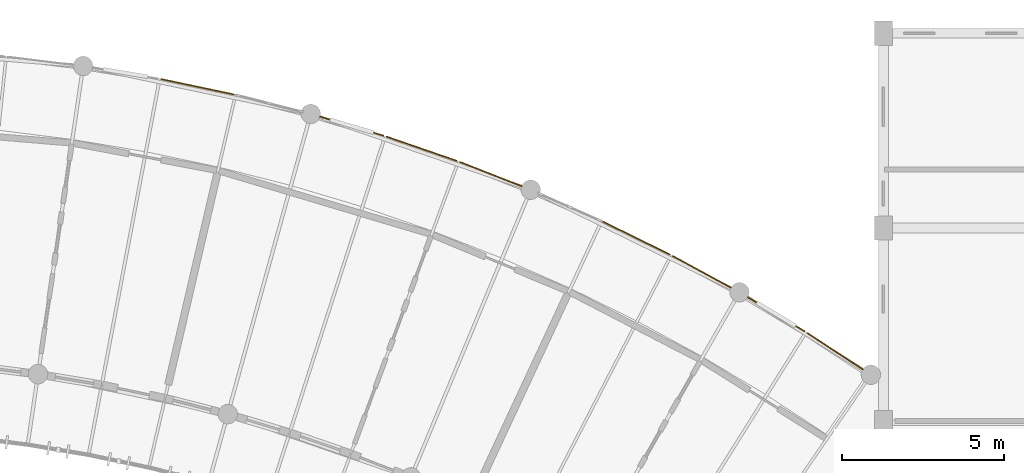
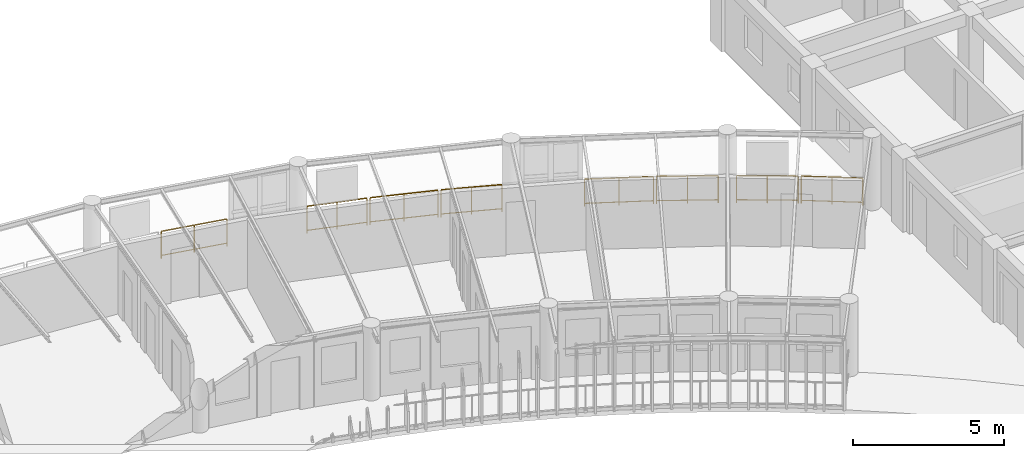
# One storey, part 100 of 100: 8 railings.
"""IFC4 building model written with IfcOpenShell, lengths in metres."""

import ifcopenshell
import ifcopenshell.guid

model = None  # the IFC model being written
_history = None  # IfcOwnerHistory: only IFC2X3 demands one
_inside = {}  # id of a spatial element -> (the spatial element, [elements in it])
_under = {}  # id of a project, library or spatial element -> (it, [spatial elements below it])
_declared = {}  # id of a project -> (the project, [libraries it declares])
_typed = {}  # id of a type object -> (the type object, [elements of that type])
_made_of = {}  # id of a material, layer set ... -> (it, [elements and type objects made of it])


def new_model(schema):
    """Start an empty IFC model of exactly this schema.

    Asked for "IFC4X3", IfcOpenShell would pick the latest addendum, in which some entities
    have other attributes; the version numbers below select the first issue.
    IFC2X3 requires an IfcOwnerHistory on every rooted entity: one is made here for all.
    """
    global model, _history
    if schema == "IFC4X3":
        model = ifcopenshell.file(schema_version=(4, 3, 0, 0))
    else:
        model = ifcopenshell.file(schema=schema)
    _inside.clear()
    _under.clear()
    _declared.clear()
    _typed.clear()
    _made_of.clear()
    _history = None
    if model.schema == "IFC2X3":
        org = make("IfcOrganization", Name="unknown")
        user = make(
            "IfcPersonAndOrganization",
            ThePerson=make("IfcPerson", FamilyName="unknown"),
            TheOrganization=org,
        )
        app = make(
            "IfcApplication",
            ApplicationDeveloper=org,
            Version="unknown",
            ApplicationFullName="unknown",
            ApplicationIdentifier="unknown",
        )
        _history = make(
            "IfcOwnerHistory",
            OwningUser=user,
            OwningApplication=app,
            ChangeAction="ADDED",
            CreationDate=0,
        )
    return model


def make(cls, **values):
    """One entity of the class cls with the attributes given. An attribute that is None is left unset."""
    return model.create_entity(
        cls, **{name: value for name, value in values.items() if value is not None}
    )


def rooted(cls, **values):
    """An entity with a GlobalId (a new one), such as an element, a storey or a relation."""
    return make(cls, GlobalId=ifcopenshell.guid.new(), OwnerHistory=_history, **values)


def si_unit(unit_type, name, prefix=None):
    """IfcSIUnit, for example si_unit("LENGTHUNIT", "METRE", prefix="MILLI")."""
    return make("IfcSIUnit", UnitType=unit_type, Prefix=prefix, Name=name)


def assignment(units):
    """IfcUnitAssignment: the units of a project."""
    return None if units is None else make("IfcUnitAssignment", Units=units)


def point(xyz):
    """IfcCartesianPoint."""
    return None if xyz is None else make("IfcCartesianPoint", Coordinates=xyz)


def direction(xyz):
    """IfcDirection."""
    return None if xyz is None else make("IfcDirection", DirectionRatios=xyz)


def frame(location, z_axis=None, x_axis=None):
    """IfcAxis2Placement3D, a coordinate frame: its origin and axes. An axis left out is left unset."""
    return make(
        "IfcAxis2Placement3D",
        Location=point(location),
        Axis=direction(z_axis),
        RefDirection=direction(x_axis),
    )


def frame_2d(location, x_axis=None):
    """IfcAxis2Placement2D, a coordinate frame in the plane: its origin and x axis."""
    return make(
        "IfcAxis2Placement2D", Location=point(location), RefDirection=direction(x_axis)
    )


def origin():
    """The frame at (0, 0, 0) with its axes left unset."""
    return frame((0.0, 0.0, 0.0))


def origin_2d():
    """The frame at (0, 0) in the plane with its x axis left unset."""
    return frame_2d((0.0, 0.0))


def place(relative_to, where):
    """IfcLocalPlacement: puts the frame where relative to a parent placement (None: the world)."""
    return make(
        "IfcLocalPlacement", PlacementRelTo=relative_to, RelativePlacement=where
    )


def context(
    kind, dimensions, precision=None, world=None, true_north=None, identifier=None
):
    """IfcGeometricRepresentationContext, for example the 3D "Model" context."""
    return make(
        "IfcGeometricRepresentationContext",
        ContextIdentifier=identifier,
        ContextType=kind,
        CoordinateSpaceDimension=dimensions,
        Precision=precision,
        WorldCoordinateSystem=world,
        TrueNorth=true_north,
    )


def subcontext(parent, identifier, kind, view, scale=None):
    """IfcGeometricRepresentationSubContext, for example "Body" below "Model"."""
    return make(
        "IfcGeometricRepresentationSubContext",
        ContextIdentifier=identifier,
        ContextType=kind,
        ParentContext=parent,
        TargetScale=scale,
        TargetView=view,
    )


def project(units=None, contexts=None):
    """IfcProject with its units and contexts."""
    return rooted(
        "IfcProject",
        Name="project",
        RepresentationContexts=contexts,
        UnitsInContext=assignment(units),
    )


def spatial(cls, under=None, at=None, **own):
    """A site, building, storey or space (cls), placed at a placement, below another one or the project."""
    s = rooted(cls, ObjectPlacement=at, **own)
    if under is not None:
        _under.setdefault(under.id(), (under, []))[1].append(s)
    return s


def profile(cls, at=None, kind="AREA", **sizes):
    """A parametric profile (cls). Its sizes go by their IFC names, for example OverallWidth=200.0."""
    return make(cls, ProfileType=kind, Position=at, **sizes)


def circle(**sizes):
    """IfcCircleProfileDef."""
    return profile("IfcCircleProfileDef", **sizes)


def extrude(swept, where, along, depth):
    """IfcExtrudedAreaSolid: the profile swept, set in the frame where, extruded along a direction by depth."""
    return make(
        "IfcExtrudedAreaSolid",
        SweptArea=swept,
        Position=where,
        ExtrudedDirection=direction(along),
        Depth=depth,
    )


def shape(context_of_items, identifier, shape_type, items):
    """IfcShapeRepresentation: the items that make up one representation, for example the "Body"."""
    return make(
        "IfcShapeRepresentation",
        ContextOfItems=context_of_items,
        RepresentationIdentifier=identifier,
        RepresentationType=shape_type,
        Items=items,
    )


def material(Name=None, Category=None):
    """IfcMaterial."""
    return make("IfcMaterial", Name=Name, Category=Category)


def layer(
    of_material, thickness, ventilated=None, Name=None, Category=None, Priority=None
):
    """IfcMaterialLayer: one layer of a wall or slab, of a material (None: an air gap)."""
    return make(
        "IfcMaterialLayer",
        Material=of_material,
        LayerThickness=thickness,
        IsVentilated=ventilated,
        Name=Name,
        Category=Category,
        Priority=Priority,
    )


def layer_set(layers, Name=None):
    """IfcMaterialLayerSet."""
    return make("IfcMaterialLayerSet", MaterialLayers=layers, LayerSetName=Name)


def made_of(thing, what):
    """Note that an element or type object is made of a material, layer set ...; save() writes the relation."""
    if what is not None:
        _made_of.setdefault(what.id(), (what, []))[1].append(thing)
    return thing


def type_object(cls, material=None, **own):
    """A type object (cls), such as IfcWallType, which elements share."""
    return made_of(rooted(cls, **own), material)


def element(
    cls,
    number,
    at=None,
    inside=None,
    cuts=None,
    type_object=None,
    material=None,
    context=None,
    identifier="Body",
    shape_type=None,
    held_by="IfcProductDefinitionShape",
    body=None,
    shapes=None,
    **own,
):
    """One element of the class cls, such as IfcWall. Its Tag is "e" and its number.

    at: its placement. inside: the storey or other place that contains it. cuts: it is an
    opening in that element (IfcRelVoidsElement). A single representation is given by context,
    identifier, shape_type and body (its items); several are given by shapes. held_by: the class
    of the entity that holds the representations. save() writes the other relations.
    """
    e = rooted(cls, Tag="e%d" % number, ObjectPlacement=at, **own)
    if body is not None:
        shapes = [shape(context, identifier, shape_type, body)]
    if shapes is not None:
        e.Representation = make(held_by, Representations=shapes)
    if inside is not None:
        _inside.setdefault(inside.id(), (inside, []))[1].append(e)
    if cuts is not None:
        rooted(
            "IfcRelVoidsElement", RelatingBuildingElement=cuts, RelatedOpeningElement=e
        )
    if type_object is not None:
        _typed.setdefault(type_object.id(), (type_object, []))[1].append(e)
    return made_of(e, material)


def aggregate(whole, parts):
    """IfcRelAggregates: a whole, such as a stair, and the parts it consists of."""
    return rooted("IfcRelAggregates", RelatingObject=whole, RelatedObjects=parts)


def save(model, path):
    """Write the relations noted so far, then the file.

    IfcRelAggregates (storeys below a building ...), IfcRelContainedInSpatialStructure (elements
    in a storey), IfcRelDefinesByType, IfcRelAssociatesMaterial and IfcRelDeclares: one each for
    every whole, place, type object, material and project.
    """
    for whole, parts in _under.values():
        aggregate(whole, parts)
    for where, things in _inside.values():
        rooted(
            "IfcRelContainedInSpatialStructure",
            RelatedElements=things,
            RelatingStructure=where,
        )
    for kind, things in _typed.values():
        rooted("IfcRelDefinesByType", RelatedObjects=things, RelatingType=kind)
    for what, things in _made_of.values():
        rooted("IfcRelAssociatesMaterial", RelatedObjects=things, RelatingMaterial=what)
    for by, libraries in _declared.values():
        rooted("IfcRelDeclares", RelatingContext=by, RelatedDefinitions=libraries)
    model.write(path)


model = new_model("IFC4")

# Units and contexts
model_context = context("Model", 3, precision=1e-05, world=origin(), true_north=direction((0.0, 1.0)))
body_context = subcontext(model_context, "Body", "Model", "MODEL_VIEW")
ifc_project = project(units=[si_unit("LENGTHUNIT", "METRE"), si_unit("AREAUNIT", "SQUARE_METRE"), si_unit("VOLUMEUNIT", "CUBIC_METRE"), si_unit("PLANEANGLEUNIT", "RADIAN"), si_unit("MASSUNIT", "GRAM", prefix="KILO"), si_unit("POWERUNIT", "WATT"), si_unit("THERMODYNAMICTEMPERATUREUNIT", "KELVIN")], contexts=[model_context])

# Site, building, storey
site_placement = place(None, origin())
site = spatial("IfcSite", under=ifc_project, at=site_placement, CompositionType="ELEMENT")
building_placement = place(site_placement, origin())
building = spatial("IfcBuilding", under=site, at=building_placement, Name="Ruvembo Vaulted Housing Court", CompositionType="ELEMENT")
storey_placement = place(building_placement, frame((0.0, 0.0, 14.10009765625)))
storey = spatial("IfcBuildingStorey", under=building, at=storey_placement, Name="L04", CompositionType="ELEMENT", Elevation=14.10009765625)

# Railings
ifc_material = material(Name="Galvanised Painted Steel and Laminated Glass", Category="steel")
ifc_layer = layer(ifc_material, 0.070068359375, Name="Galvanised Painted Steel and Laminated Glass")
ifc_layer_set = layer_set([ifc_layer], Name="Galvanised Painted Steel and Laminated Glass")
railing_type = type_object("IfcRailingType", Name="RL-BALUST-1120", PredefinedType="BALUSTRADE", material=ifc_layer_set)
railing_1_placement = place(storey_placement, frame((127.74609375, 106.587646484375, 0.0)))
element("IfcRailing", 1, at=railing_1_placement, inside=storey, type_object=railing_type, Name="L04 Perimeter Guard RL-EXT-L04-0762", PredefinedType="BALUSTRADE", context=body_context, shape_type="SweptSolid", body=[
    extrude(circle(Radius=0.02392578125, at=origin_2d()), frame((0.0, 0.0, 1.09619140625), z_axis=(0.978529427243, -0.206107156642, 0.0), x_axis=(0.206107156642, 0.978529427243, 0.0)), (0.0, 0.0, 1.0), 2.290771484375),
    extrude(circle(Radius=0.01806640625, at=origin_2d()), frame((0.0, 0.0, 0.1201171875), z_axis=(0.978529427243, -0.206107156642, 0.0), x_axis=(0.206107156642, 0.978529427243, 0.0)), (0.0, 0.0, 1.0), 2.290771484375),
    extrude(circle(Radius=0.02099609375, at=origin_2d()), origin(), (0.0, 0.0, 1.0), 1.072021484375),
    extrude(circle(Radius=0.02099609375, at=origin_2d()), frame((1.120849609375, -0.236083984375, 0.0)), (0.0, 0.0, 1.0), 1.072021484375),
    extrude(circle(Radius=0.02099609375, at=origin_2d()), frame((2.24169921875, -0.47216796875, 0.0)), (0.0, 0.0, 1.0), 1.072021484375),
])
railing_2_placement = place(storey_placement, frame((132.64111328125, 105.429931640625, 0.0)))
element("IfcRailing", 2, at=railing_2_placement, inside=storey, type_object=railing_type, Name="L04 Perimeter Guard RL-EXT-L04-0763", PredefinedType="BALUSTRADE", context=body_context, shape_type="SweptSolid", body=[
    extrude(circle(Radius=0.02392578125, at=origin_2d()), frame((0.0, 0.0, 1.09619140625), z_axis=(0.95807943038, -0.286502713917, 0.0), x_axis=(0.286502713917, 0.95807943038, 0.0)), (0.0, 0.0, 1.0), 2.040771484375),
    extrude(circle(Radius=0.01806640625, at=origin_2d()), frame((0.0, 0.0, 0.1201171875), z_axis=(0.95807943038, -0.286502713917, 0.0), x_axis=(0.286502713917, 0.95807943038, 0.0)), (0.0, 0.0, 1.0), 2.040771484375),
    extrude(circle(Radius=0.02099609375, at=origin_2d()), origin(), (0.0, 0.0, 1.0), 1.072021484375),
    extrude(circle(Radius=0.02099609375, at=origin_2d()), frame((0.9775390625, -0.29248046875, 0.0)), (0.0, 0.0, 1.0), 1.072021484375),
    extrude(circle(Radius=0.02099609375, at=origin_2d()), frame((1.955322265625, -0.584716796875, 0.0)), (0.0, 0.0, 1.0), 1.072021484375),
])
railing_3_placement = place(storey_placement, frame((134.691650390625, 104.814697265625, 0.0)))
element("IfcRailing", 3, at=railing_3_placement, inside=storey, type_object=railing_type, Name="L04 Perimeter Guard RL-EXT-L04-0764", PredefinedType="BALUSTRADE", context=body_context, shape_type="SweptSolid", body=[
    extrude(circle(Radius=0.02392578125, at=origin_2d()), frame((0.0, 0.0, 1.09619140625), z_axis=(0.945360522116, -0.326026813659, 0.0), x_axis=(0.326026813659, 0.945360522116, 0.0)), (0.0, 0.0, 1.0), 2.290771484375),
    extrude(circle(Radius=0.01806640625, at=origin_2d()), frame((0.0, 0.0, 0.1201171875), z_axis=(0.945360522116, -0.326026813659, 0.0), x_axis=(0.326026813659, 0.945360522116, 0.0)), (0.0, 0.0, 1.0), 2.290771484375),
    extrude(circle(Radius=0.02099609375, at=origin_2d()), origin(), (0.0, 0.0, 1.0), 1.072021484375),
    extrude(circle(Radius=0.02099609375, at=origin_2d()), frame((1.082763671875, -0.37353515625, 0.0)), (0.0, 0.0, 1.0), 1.072021484375),
    extrude(circle(Radius=0.02099609375, at=origin_2d()), frame((2.16552734375, -0.746826171875, 0.0)), (0.0, 0.0, 1.0), 1.072021484375),
])
railing_4_placement = place(storey_placement, frame((136.951171875, 104.033447265625, 0.0)))
element("IfcRailing", 4, at=railing_4_placement, inside=storey, type_object=railing_type, Name="L04 Perimeter Guard RL-EXT-L04-0765", PredefinedType="BALUSTRADE", context=body_context, shape_type="SweptSolid", body=[
    extrude(circle(Radius=0.02392578125, at=origin_2d()), frame((0.0, 0.0, 1.09619140625), z_axis=(0.931004290003, -0.365008235518, 0.0), x_axis=(0.365008235518, 0.931004290003, 0.0)), (0.0, 0.0, 1.0), 2.040771484375),
    extrude(circle(Radius=0.01806640625, at=origin_2d()), frame((0.0, 0.0, 0.1201171875), z_axis=(0.931004290003, -0.365008235518, 0.0), x_axis=(0.365008235518, 0.931004290003, 0.0)), (0.0, 0.0, 1.0), 2.040771484375),
    extrude(circle(Radius=0.02099609375, at=origin_2d()), origin(), (0.0, 0.0, 1.0), 1.072021484375),
    extrude(circle(Radius=0.02099609375, at=origin_2d()), frame((0.949951171875, -0.37255859375, 0.0)), (0.0, 0.0, 1.0), 1.072021484375),
    extrude(circle(Radius=0.02099609375, at=origin_2d()), frame((1.89990234375, -0.744873046875, 0.0)), (0.0, 0.0, 1.0), 1.072021484375),
])
railing_5_placement = place(storey_placement, frame((141.363037109375, 102.19287109375, 0.0)))
element("IfcRailing", 5, at=railing_5_placement, inside=storey, type_object=railing_type, Name="L04 Perimeter Guard RL-EXT-L04-0766", PredefinedType="BALUSTRADE", context=body_context, shape_type="SweptSolid", body=[
    extrude(circle(Radius=0.02392578125, at=origin_2d()), frame((0.0, 0.0, 1.09619140625), z_axis=(0.897517329608, -0.440979186644, 0.0), x_axis=(0.440979186644, 0.897517329608, 0.0)), (0.0, 0.0, 1.0), 2.291015625),
    extrude(circle(Radius=0.01806640625, at=origin_2d()), frame((0.0, 0.0, 0.1201171875), z_axis=(0.897517329608, -0.440979186644, 0.0), x_axis=(0.440979186644, 0.897517329608, 0.0)), (0.0, 0.0, 1.0), 2.291015625),
    extrude(circle(Radius=0.02099609375, at=origin_2d()), origin(), (0.0, 0.0, 1.0), 1.072021484375),
    extrude(circle(Radius=0.02099609375, at=origin_2d()), frame((1.028076171875, -0.505126953125, 0.0)), (0.0, 0.0, 1.0), 1.072021484375),
    extrude(circle(Radius=0.02099609375, at=origin_2d()), frame((2.05615234375, -1.01025390625, 0.0)), (0.0, 0.0, 1.0), 1.072021484375),
])
railing_6_placement = place(storey_placement, frame((143.508056640625, 101.13671875, 0.0)))
element("IfcRailing", 6, at=railing_6_placement, inside=storey, type_object=railing_type, Name="L04 Perimeter Guard RL-EXT-L04-0767", PredefinedType="BALUSTRADE", context=body_context, shape_type="SweptSolid", body=[
    extrude(circle(Radius=0.02392578125, at=origin_2d()), frame((0.0, 0.0, 1.09619140625), z_axis=(0.878461878829, -0.477812439608, 0.0), x_axis=(0.477812439608, 0.878461878829, 0.0)), (0.0, 0.0, 1.0), 2.040771484375),
    extrude(circle(Radius=0.01806640625, at=origin_2d()), frame((0.0, 0.0, 0.1201171875), z_axis=(0.878461878829, -0.477812439608, 0.0), x_axis=(0.477812439608, 0.878461878829, 0.0)), (0.0, 0.0, 1.0), 2.040771484375),
    extrude(circle(Radius=0.02099609375, at=origin_2d()), origin(), (0.0, 0.0, 1.0), 1.072021484375),
    extrude(circle(Radius=0.02099609375, at=origin_2d()), frame((0.896484375, -0.487548828125, 0.0)), (0.0, 0.0, 1.0), 1.072021484375),
    extrude(circle(Radius=0.02099609375, at=origin_2d()), frame((1.792724609375, -0.97509765625, 0.0)), (0.0, 0.0, 1.0), 1.072021484375),
])
railing_7_placement = place(storey_placement, frame((145.82177734375, 99.8642578125, 0.0)))
element("IfcRailing", 7, at=railing_7_placement, inside=storey, type_object=railing_type, Name="L04 Perimeter Guard RL-EXT-L04-0768", PredefinedType="BALUSTRADE", context=body_context, shape_type="SweptSolid", body=[
    extrude(circle(Radius=0.02392578125, at=origin_2d()), frame((0.0, 0.0, 1.09619140625), z_axis=(0.857893790105, -0.513827057384, 0.0), x_axis=(0.513827057384, 0.857893790105, 0.0)), (0.0, 0.0, 1.0), 2.040771484375),
    extrude(circle(Radius=0.01806640625, at=origin_2d()), frame((0.0, 0.0, 0.1201171875), z_axis=(0.857893790105, -0.513827057384, 0.0), x_axis=(0.513827057384, 0.857893790105, 0.0)), (0.0, 0.0, 1.0), 2.040771484375),
    extrude(circle(Radius=0.02099609375, at=origin_2d()), origin(), (0.0, 0.0, 1.0), 1.072021484375),
    extrude(circle(Radius=0.02099609375, at=origin_2d()), frame((0.87548828125, -0.5244140625, 0.0)), (0.0, 0.0, 1.0), 1.072021484375),
    extrude(circle(Radius=0.02099609375, at=origin_2d()), frame((1.750732421875, -1.048583984375, 0.0)), (0.0, 0.0, 1.0), 1.072021484375),
])
railing_8_placement = place(storey_placement, frame((147.6572265625, 98.762451171875, 0.0)))
element("IfcRailing", 8, at=railing_8_placement, inside=storey, type_object=railing_type, Name="L04 Perimeter Guard RL-EXT-L04-0769", PredefinedType="BALUSTRADE", context=body_context, shape_type="SweptSolid", body=[
    extrude(circle(Radius=0.02392578125, at=origin_2d()), frame((0.0, 0.0, 1.09619140625), z_axis=(0.835840359874, -0.548972579284, 0.0), x_axis=(0.548972579284, 0.835840359874, 0.0)), (0.0, 0.0, 1.0), 2.040771484375),
    extrude(circle(Radius=0.01806640625, at=origin_2d()), frame((0.0, 0.0, 0.1201171875), z_axis=(0.835840359874, -0.548972579284, 0.0), x_axis=(0.548972579284, 0.835840359874, 0.0)), (0.0, 0.0, 1.0), 2.040771484375),
    extrude(circle(Radius=0.02099609375, at=origin_2d()), origin(), (0.0, 0.0, 1.0), 1.072021484375),
    extrude(circle(Radius=0.02099609375, at=origin_2d()), frame((0.85302734375, -0.56005859375, 0.0)), (0.0, 0.0, 1.0), 1.072021484375),
    extrude(circle(Radius=0.02099609375, at=origin_2d()), frame((1.705810546875, -1.120361328125, 0.0)), (0.0, 0.0, 1.0), 1.072021484375),
])

save(model, "model.ifc")
